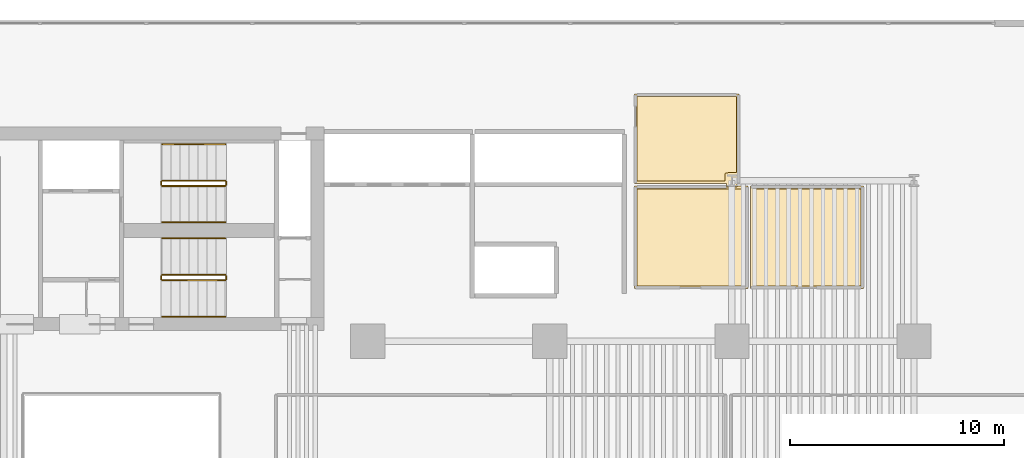
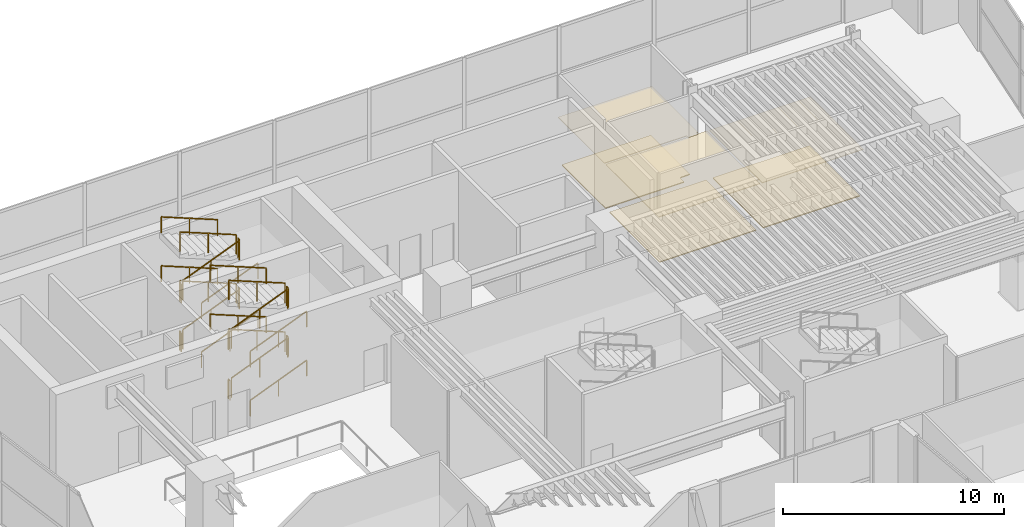
# One storey, part 16 of 16: 24 railings, 6 coverings.
"""IFC4 building model written with IfcOpenShell, lengths in metres."""

from ifc_helpers import new_model, si_unit, direction, frame, origin, origin_2d, place, context, subcontext, project, spatial, polyline, rectangle, outline, extrude, material, layer, layer_set, type_object, element, save


model = new_model("IFC4")

# Units and contexts
model_context = context("Model", 3, precision=1e-05, world=origin(), true_north=direction((0.0, 1.0)))
body_context = subcontext(model_context, "Body", "Model", "MODEL_VIEW")
ifc_project = project(units=[si_unit("LENGTHUNIT", "METRE"), si_unit("AREAUNIT", "SQUARE_METRE"), si_unit("VOLUMEUNIT", "CUBIC_METRE"), si_unit("PLANEANGLEUNIT", "RADIAN"), si_unit("MASSUNIT", "GRAM", prefix="KILO")], contexts=[model_context])

# Site, building, storey
site_placement = place(None, origin())
site = spatial("IfcSite", under=ifc_project, at=site_placement, CompositionType="ELEMENT")
building_placement = place(site_placement, origin())
building = spatial("IfcBuilding", under=site, at=building_placement, Name="Caeloran Harvest Quay", CompositionType="ELEMENT")
storey_placement = place(building_placement, frame((0.0, 0.0, 16.199951171875)))
storey = spatial("IfcBuildingStorey", under=building, at=storey_placement, Name="L04", CompositionType="ELEMENT", Elevation=16.199951171875)

# Coverings
ifc_material_1 = material(Name="Perforated Mineral-Fibre Acoustic Ceiling Tile", Category="ceiling")
ifc_layer_1 = layer(ifc_material_1, 0.0400390625, Name="Perforated Mineral-Fibre Acoustic Ceiling Tile")
ifc_layer_set_1 = layer_set([ifc_layer_1], Name="Perforated Mineral-Fibre Acoustic Ceiling Tile")
covering_type_1 = type_object("IfcCoveringType", Name="COV-CEILING-ACOUSTIC", PredefinedType="CEILING", material=ifc_layer_set_1)
covering_1_placement = place(storey_placement, frame((0.0, 0.0, 2.60009765625)))
element("IfcCovering", 1, at=covering_1_placement, inside=storey, type_object=covering_type_1, Name="L04 Public Male Washroom WC Acoustic Ceiling", PredefinedType="CEILING", context=body_context, shape_type="SweptSolid", body=[
    extrude(outline(polyline([(43.239990234375, 33.4599609375), (37.9599609375, 33.4599609375), (37.9599609375, 38.239990234375), (42.2529296875, 38.239990234375), (42.2529296875, 38.804443359375), (42.7470703125, 38.804443359375), (42.7470703125, 38.239990234375), (43.239990234375, 38.239990234375), (43.239990234375, 33.4599609375)])), origin(), (0.0, 0.0, 1.0), 0.0400390625),
])
covering_2_placement = place(storey_placement, frame((0.0, 0.0, 2.60009765625)))
element("IfcCovering", 2, at=covering_2_placement, inside=storey, type_object=covering_type_1, Name="L04 Public Female Washroom WC Acoustic Ceiling", PredefinedType="CEILING", context=body_context, shape_type="SweptSolid", body=[
    extrude(outline(polyline([(48.639892578125, 38.239990234375), (48.639892578125, 33.4599609375), (43.360107421875, 33.4599609375), (43.360107421875, 38.239990234375), (48.639892578125, 38.239990234375)])), origin(), (0.0, 0.0, 1.0), 0.0400390625),
])
covering_3_placement = place(storey_placement, frame((0.0, 0.0, 2.60009765625)))
element("IfcCovering", 3, at=covering_3_placement, inside=storey, type_object=covering_type_1, Name="L04 Accessible Unisex Washroom WC Acoustic Ceiling", PredefinedType="CEILING", context=body_context, shape_type="SweptSolid", body=[
    extrude(outline(polyline([(42.7470703125, 38.195556640625), (42.2529296875, 38.195556640625), (42.2529296875, 38.360107421875), (37.9599609375, 38.360107421875), (37.9599609375, 42.5400390625), (42.840087890625, 42.5400390625), (42.840087890625, 38.360107421875), (42.7470703125, 38.360107421875), (42.7470703125, 38.195556640625)])), origin(), (0.0, 0.0, 1.0), 0.0400390625),
])
ifc_material_2 = material(Name="Calcium-Sulphate Raised Access Floor and Terrazzo Finish", Category="flooring")
ifc_layer_2 = layer(ifc_material_2, 0.050048828125, Name="Calcium-Sulphate Raised Access Floor and Terrazzo Finish")
ifc_layer_set_2 = layer_set([ifc_layer_2], Name="Calcium-Sulphate Raised Access Floor and Terrazzo Finish")
covering_type_2 = type_object("IfcCoveringType", Name="COV-FLOOR-RAISED", PredefinedType="FLOORING", material=ifc_layer_set_2)
covering_4_placement = place(storey_placement, origin())
element("IfcCovering", 4, at=covering_4_placement, inside=storey, type_object=covering_type_2, Name="L04 Public Male Washroom WC Raised Finish Flooring", PredefinedType="FLOORING", context=body_context, shape_type="SweptSolid", body=[
    extrude(outline(polyline([(43.1201171875, 38.1201171875), (43.1201171875, 33.580078125), (38.080078125, 33.580078125), (38.080078125, 38.1201171875), (43.1201171875, 38.1201171875)])), origin(), (0.0, 0.0, 1.0), 0.050048828125),
])
covering_5_placement = place(storey_placement, origin())
element("IfcCovering", 5, at=covering_5_placement, inside=storey, type_object=covering_type_2, Name="L04 Public Female Washroom WC Raised Finish Flooring", PredefinedType="FLOORING", context=body_context, shape_type="SweptSolid", body=[
    extrude(outline(polyline([(48.52001953125, 38.1201171875), (48.52001953125, 33.580078125), (43.47998046875, 33.580078125), (43.47998046875, 38.1201171875), (48.52001953125, 38.1201171875)])), origin(), (0.0, 0.0, 1.0), 0.050048828125),
])
covering_6_placement = place(storey_placement, origin())
element("IfcCovering", 6, at=covering_6_placement, inside=storey, type_object=covering_type_2, Name="L04 Accessible Unisex Washroom WC Raised Finish Flooring", PredefinedType="FLOORING", context=body_context, shape_type="SweptSolid", body=[
    extrude(outline(polyline([(42.719970703125, 38.87939453125), (42.213623046875, 38.865966796875), (42.178466796875, 38.807373046875), (42.177978515625, 38.47998046875), (38.080078125, 38.47998046875), (38.080078125, 42.419921875), (42.719970703125, 42.419921875), (42.719970703125, 38.87939453125)])), origin(), (0.0, 0.0, 1.0), 0.050048828125),
])

# Railings
ifc_material_3 = material(Name="Painted Steel Baluster and Top-Rail Stair Guard", Category="steel")
ifc_layer_3 = layer(ifc_material_3, 0.050048828125, Name="Painted Steel Baluster and Top-Rail Stair Guard")
ifc_layer_set_3 = layer_set([ifc_layer_3], Name="Painted Steel Baluster and Top-Rail Stair Guard")
railing_type_1 = type_object("IfcRailingType", Name="STAIR-GUARD-1100", PredefinedType="GUARDRAIL", material=ifc_layer_set_3)
railing_1_placement = place(storey_placement, frame((15.89990234375, 38.25, 0.168701171875)))
element("IfcRailing", 7, at=railing_1_placement, inside=storey, type_object=railing_type_1, Name="L04 ST-C1 stair guard 1", PredefinedType="GUARDRAIL", context=body_context, shape_type="SweptSolid", body=[
    extrude(rectangle(XDim=0.048095703125, YDim=0.048095703125, at=origin_2d()), frame((0.0, 0.0, 1.076171875), z_axis=(0.927896368829, 0.0, 0.372838207155), x_axis=(0.0, 1.0, 0.0)), (0.0, 0.0, 1.0), 3.168701171875),
    extrude(rectangle(XDim=0.0419921875, YDim=0.0419921875, at=origin_2d()), origin(), (0.0, 0.0, 1.0), 1.052001953125),
    extrude(rectangle(XDim=0.0419921875, YDim=0.0419921875, at=origin_2d()), frame((1.47021484375, 0.0, 0.5908203125)), (0.0, 0.0, 1.0), 1.052001953125),
    extrude(rectangle(XDim=0.0419921875, YDim=0.0419921875, at=origin_2d()), frame((2.940185546875, 0.0, 1.181396484375)), (0.0, 0.0, 1.0), 1.052001953125),
])
railing_2_placement = place(storey_placement, frame((18.889892578125, 38.300048828125, 1.35009765625)))
element("IfcRailing", 8, at=railing_2_placement, inside=storey, type_object=railing_type_1, Name="L04 ST-C1 stair guard 2", PredefinedType="GUARDRAIL", context=body_context, shape_type="SweptSolid", body=[
    extrude(rectangle(XDim=0.048095703125, YDim=0.048095703125, at=origin_2d()), frame((0.0, 0.0, 1.076171875), z_axis=(0.0, 1.0, 0.0), x_axis=(-1.0, 0.0, 0.0)), (0.0, 0.0, 1.0), 0.14990234375),
    extrude(rectangle(XDim=0.0419921875, YDim=0.0419921875, at=origin_2d()), origin(), (0.0, 0.0, 1.0), 1.052001953125),
    extrude(rectangle(XDim=0.0419921875, YDim=0.0419921875, at=origin_2d()), frame((0.0, 0.14990234375, 0.0)), (0.0, 0.0, 1.0), 1.052001953125),
])
railing_3_placement = place(storey_placement, frame((18.840087890625, 38.5, 1.518798828125)))
element("IfcRailing", 9, at=railing_3_placement, inside=storey, type_object=railing_type_1, Name="L04 ST-C1 stair guard 3", PredefinedType="GUARDRAIL", context=body_context, shape_type="SweptSolid", body=[
    extrude(rectangle(XDim=0.048095703125, YDim=0.048095703125, at=origin_2d()), frame((0.0, 0.0, 1.076171875), z_axis=(-0.927923022591, 0.0, 0.372771866088), x_axis=(0.0, -1.0, 0.0)), (0.0, 0.0, 1.0), 3.16845703125),
    extrude(rectangle(XDim=0.0419921875, YDim=0.0419921875, at=origin_2d()), origin(), (0.0, 0.0, 1.0), 1.052001953125),
    extrude(rectangle(XDim=0.0419921875, YDim=0.0419921875, at=origin_2d()), frame((-1.47021484375, 0.0, 0.590576171875)), (0.0, 0.0, 1.0), 1.052001953125),
    extrude(rectangle(XDim=0.0419921875, YDim=0.0419921875, at=origin_2d()), frame((-2.940185546875, 0.0, 1.18115234375)), (0.0, 0.0, 1.0), 1.052001953125),
])
railing_4_placement = place(storey_placement, frame((15.85009765625, 38.300048828125, 2.699951171875)))
element("IfcRailing", 10, at=railing_4_placement, inside=storey, type_object=railing_type_1, Name="L04 ST-C1 stair guard 4", PredefinedType="GUARDRAIL", context=body_context, shape_type="SweptSolid", body=[
    extrude(rectangle(XDim=0.048095703125, YDim=0.048095703125, at=origin_2d()), frame((0.0, 0.0, 1.076171875), z_axis=(0.0, 1.0, 0.0), x_axis=(-1.0, 0.0, 0.0)), (0.0, 0.0, 1.0), 0.14990234375),
    extrude(rectangle(XDim=0.0419921875, YDim=0.0419921875, at=origin_2d()), origin(), (0.0, 0.0, 1.0), 1.052001953125),
    extrude(rectangle(XDim=0.0419921875, YDim=0.0419921875, at=origin_2d()), frame((0.0, 0.14990234375, 0.0)), (0.0, 0.0, 1.0), 1.052001953125),
])
railing_5_placement = place(storey_placement, frame((15.89990234375, 38.25, 2.868896484375)))
element("IfcRailing", 11, at=railing_5_placement, inside=storey, type_object=railing_type_1, Name="L04 ST-C1 stair guard 5", PredefinedType="GUARDRAIL", context=body_context, shape_type="SweptSolid", body=[
    extrude(rectangle(XDim=0.048095703125, YDim=0.048095703125, at=origin_2d()), frame((0.0, 0.0, 1.076171875), z_axis=(0.927923022591, 0.0, 0.372771866088), x_axis=(0.0, 1.0, 0.0)), (0.0, 0.0, 1.0), 3.16845703125),
    extrude(rectangle(XDim=0.0419921875, YDim=0.0419921875, at=origin_2d()), origin(), (0.0, 0.0, 1.0), 1.052001953125),
    extrude(rectangle(XDim=0.0419921875, YDim=0.0419921875, at=origin_2d()), frame((1.47021484375, 0.0, 0.590576171875)), (0.0, 0.0, 1.0), 1.052001953125),
    extrude(rectangle(XDim=0.0419921875, YDim=0.0419921875, at=origin_2d()), frame((2.940185546875, 0.0, 1.18115234375)), (0.0, 0.0, 1.0), 1.052001953125),
])
railing_6_placement = place(storey_placement, frame((18.889892578125, 38.300048828125, 4.050048828125)))
element("IfcRailing", 12, at=railing_6_placement, inside=storey, type_object=railing_type_1, Name="L04 ST-C1 stair guard 6", PredefinedType="GUARDRAIL", context=body_context, shape_type="SweptSolid", body=[
    extrude(rectangle(XDim=0.048095703125, YDim=0.048095703125, at=origin_2d()), frame((0.0, 0.0, 1.076171875), z_axis=(0.0, 1.0, 0.0), x_axis=(-1.0, 0.0, 0.0)), (0.0, 0.0, 1.0), 0.14990234375),
    extrude(rectangle(XDim=0.0419921875, YDim=0.0419921875, at=origin_2d()), origin(), (0.0, 0.0, 1.0), 1.052001953125),
    extrude(rectangle(XDim=0.0419921875, YDim=0.0419921875, at=origin_2d()), frame((0.0, 0.14990234375, 0.0)), (0.0, 0.0, 1.0), 1.052001953125),
])
railing_7_placement = place(storey_placement, frame((18.840087890625, 38.5, 4.21875)))
element("IfcRailing", 13, at=railing_7_placement, inside=storey, type_object=railing_type_1, Name="L04 ST-C1 stair guard 7", PredefinedType="GUARDRAIL", context=body_context, shape_type="SweptSolid", body=[
    extrude(rectangle(XDim=0.048095703125, YDim=0.048095703125, at=origin_2d()), frame((0.0, 0.0, 1.076171875), z_axis=(-0.927896368829, 0.0, 0.372838207155), x_axis=(0.0, -1.0, 0.0)), (0.0, 0.0, 1.0), 3.168701171875),
    extrude(rectangle(XDim=0.0419921875, YDim=0.0419921875, at=origin_2d()), origin(), (0.0, 0.0, 1.0), 1.052001953125),
    extrude(rectangle(XDim=0.0419921875, YDim=0.0419921875, at=origin_2d()), frame((-1.47021484375, 0.0, 0.5908203125)), (0.0, 0.0, 1.0), 1.052001953125),
    extrude(rectangle(XDim=0.0419921875, YDim=0.0419921875, at=origin_2d()), frame((-2.940185546875, 0.0, 1.181396484375)), (0.0, 0.0, 1.0), 1.052001953125),
])
railing_8_placement = place(storey_placement, frame((15.85009765625, 38.300048828125, 0.0)))
element("IfcRailing", 14, at=railing_8_placement, inside=storey, type_object=railing_type_1, Name="L04 ST-C1 stair guard 8", PredefinedType="GUARDRAIL", context=body_context, shape_type="SweptSolid", body=[
    extrude(rectangle(XDim=0.048095703125, YDim=0.048095703125, at=origin_2d()), frame((0.0, 0.0, 1.076171875), z_axis=(0.0, 1.0, 0.0), x_axis=(-1.0, 0.0, 0.0)), (0.0, 0.0, 1.0), 0.14990234375),
    extrude(rectangle(XDim=0.0419921875, YDim=0.0419921875, at=origin_2d()), origin(), (0.0, 0.0, 1.0), 1.052001953125),
    extrude(rectangle(XDim=0.0419921875, YDim=0.0419921875, at=origin_2d()), frame((0.0, 0.14990234375, 0.0)), (0.0, 0.0, 1.0), 1.052001953125),
])
railing_9_placement = place(storey_placement, frame((15.89990234375, 33.85009765625, 0.168701171875)))
element("IfcRailing", 15, at=railing_9_placement, inside=storey, type_object=railing_type_1, Name="L04 ST-C2 stair guard 1", PredefinedType="GUARDRAIL", context=body_context, shape_type="SweptSolid", body=[
    extrude(rectangle(XDim=0.048095703125, YDim=0.048095703125, at=origin_2d()), frame((0.0, 0.0, 1.076171875), z_axis=(0.927896368829, 0.0, 0.372838207155), x_axis=(0.0, 1.0, 0.0)), (0.0, 0.0, 1.0), 3.168701171875),
    extrude(rectangle(XDim=0.0419921875, YDim=0.0419921875, at=origin_2d()), origin(), (0.0, 0.0, 1.0), 1.052001953125),
    extrude(rectangle(XDim=0.0419921875, YDim=0.0419921875, at=origin_2d()), frame((1.47021484375, 0.0, 0.5908203125)), (0.0, 0.0, 1.0), 1.052001953125),
    extrude(rectangle(XDim=0.0419921875, YDim=0.0419921875, at=origin_2d()), frame((2.940185546875, 0.0, 1.181396484375)), (0.0, 0.0, 1.0), 1.052001953125),
])
railing_10_placement = place(storey_placement, frame((18.889892578125, 33.89990234375, 1.35009765625)))
element("IfcRailing", 16, at=railing_10_placement, inside=storey, type_object=railing_type_1, Name="L04 ST-C2 stair guard 2", PredefinedType="GUARDRAIL", context=body_context, shape_type="SweptSolid", body=[
    extrude(rectangle(XDim=0.048095703125, YDim=0.048095703125, at=origin_2d()), frame((0.0, 0.0, 1.076171875), z_axis=(0.0, 1.0, 0.0), x_axis=(-1.0, 0.0, 0.0)), (0.0, 0.0, 1.0), 0.150146484375),
    extrude(rectangle(XDim=0.0419921875, YDim=0.0419921875, at=origin_2d()), origin(), (0.0, 0.0, 1.0), 1.052001953125),
    extrude(rectangle(XDim=0.0419921875, YDim=0.0419921875, at=origin_2d()), frame((0.0, 0.150146484375, 0.0)), (0.0, 0.0, 1.0), 1.052001953125),
])
railing_11_placement = place(storey_placement, frame((18.840087890625, 34.10009765625, 1.518798828125)))
element("IfcRailing", 17, at=railing_11_placement, inside=storey, type_object=railing_type_1, Name="L04 ST-C2 stair guard 3", PredefinedType="GUARDRAIL", context=body_context, shape_type="SweptSolid", body=[
    extrude(rectangle(XDim=0.048095703125, YDim=0.048095703125, at=origin_2d()), frame((0.0, 0.0, 1.076171875), z_axis=(-0.927923022591, 0.0, 0.372771866088), x_axis=(0.0, -1.0, 0.0)), (0.0, 0.0, 1.0), 3.16845703125),
    extrude(rectangle(XDim=0.0419921875, YDim=0.0419921875, at=origin_2d()), origin(), (0.0, 0.0, 1.0), 1.052001953125),
    extrude(rectangle(XDim=0.0419921875, YDim=0.0419921875, at=origin_2d()), frame((-1.47021484375, 0.0, 0.590576171875)), (0.0, 0.0, 1.0), 1.052001953125),
    extrude(rectangle(XDim=0.0419921875, YDim=0.0419921875, at=origin_2d()), frame((-2.940185546875, 0.0, 1.18115234375)), (0.0, 0.0, 1.0), 1.052001953125),
])
railing_12_placement = place(storey_placement, frame((15.85009765625, 33.89990234375, 2.699951171875)))
element("IfcRailing", 18, at=railing_12_placement, inside=storey, type_object=railing_type_1, Name="L04 ST-C2 stair guard 4", PredefinedType="GUARDRAIL", context=body_context, shape_type="SweptSolid", body=[
    extrude(rectangle(XDim=0.048095703125, YDim=0.048095703125, at=origin_2d()), frame((0.0, 0.0, 1.076171875), z_axis=(0.0, 1.0, 0.0), x_axis=(-1.0, 0.0, 0.0)), (0.0, 0.0, 1.0), 0.150146484375),
    extrude(rectangle(XDim=0.0419921875, YDim=0.0419921875, at=origin_2d()), origin(), (0.0, 0.0, 1.0), 1.052001953125),
    extrude(rectangle(XDim=0.0419921875, YDim=0.0419921875, at=origin_2d()), frame((0.0, 0.150146484375, 0.0)), (0.0, 0.0, 1.0), 1.052001953125),
])
railing_13_placement = place(storey_placement, frame((15.89990234375, 33.85009765625, 2.868896484375)))
element("IfcRailing", 19, at=railing_13_placement, inside=storey, type_object=railing_type_1, Name="L04 ST-C2 stair guard 5", PredefinedType="GUARDRAIL", context=body_context, shape_type="SweptSolid", body=[
    extrude(rectangle(XDim=0.048095703125, YDim=0.048095703125, at=origin_2d()), frame((0.0, 0.0, 1.076171875), z_axis=(0.927923022591, 0.0, 0.372771866088), x_axis=(0.0, 1.0, 0.0)), (0.0, 0.0, 1.0), 3.16845703125),
    extrude(rectangle(XDim=0.0419921875, YDim=0.0419921875, at=origin_2d()), origin(), (0.0, 0.0, 1.0), 1.052001953125),
    extrude(rectangle(XDim=0.0419921875, YDim=0.0419921875, at=origin_2d()), frame((1.47021484375, 0.0, 0.590576171875)), (0.0, 0.0, 1.0), 1.052001953125),
    extrude(rectangle(XDim=0.0419921875, YDim=0.0419921875, at=origin_2d()), frame((2.940185546875, 0.0, 1.18115234375)), (0.0, 0.0, 1.0), 1.052001953125),
])
railing_14_placement = place(storey_placement, frame((18.889892578125, 33.89990234375, 4.050048828125)))
element("IfcRailing", 20, at=railing_14_placement, inside=storey, type_object=railing_type_1, Name="L04 ST-C2 stair guard 6", PredefinedType="GUARDRAIL", context=body_context, shape_type="SweptSolid", body=[
    extrude(rectangle(XDim=0.048095703125, YDim=0.048095703125, at=origin_2d()), frame((0.0, 0.0, 1.076171875), z_axis=(0.0, 1.0, 0.0), x_axis=(-1.0, 0.0, 0.0)), (0.0, 0.0, 1.0), 0.150146484375),
    extrude(rectangle(XDim=0.0419921875, YDim=0.0419921875, at=origin_2d()), origin(), (0.0, 0.0, 1.0), 1.052001953125),
    extrude(rectangle(XDim=0.0419921875, YDim=0.0419921875, at=origin_2d()), frame((0.0, 0.150146484375, 0.0)), (0.0, 0.0, 1.0), 1.052001953125),
])
railing_15_placement = place(storey_placement, frame((18.840087890625, 34.10009765625, 4.21875)))
element("IfcRailing", 21, at=railing_15_placement, inside=storey, type_object=railing_type_1, Name="L04 ST-C2 stair guard 7", PredefinedType="GUARDRAIL", context=body_context, shape_type="SweptSolid", body=[
    extrude(rectangle(XDim=0.048095703125, YDim=0.048095703125, at=origin_2d()), frame((0.0, 0.0, 1.076171875), z_axis=(-0.927896368829, 0.0, 0.372838207155), x_axis=(0.0, -1.0, 0.0)), (0.0, 0.0, 1.0), 3.168701171875),
    extrude(rectangle(XDim=0.0419921875, YDim=0.0419921875, at=origin_2d()), origin(), (0.0, 0.0, 1.0), 1.052001953125),
    extrude(rectangle(XDim=0.0419921875, YDim=0.0419921875, at=origin_2d()), frame((-1.47021484375, 0.0, 0.5908203125)), (0.0, 0.0, 1.0), 1.052001953125),
    extrude(rectangle(XDim=0.0419921875, YDim=0.0419921875, at=origin_2d()), frame((-2.940185546875, 0.0, 1.181396484375)), (0.0, 0.0, 1.0), 1.052001953125),
])
railing_16_placement = place(storey_placement, frame((15.85009765625, 33.89990234375, 0.0)))
element("IfcRailing", 22, at=railing_16_placement, inside=storey, type_object=railing_type_1, Name="L04 ST-C2 stair guard 8", PredefinedType="GUARDRAIL", context=body_context, shape_type="SweptSolid", body=[
    extrude(rectangle(XDim=0.048095703125, YDim=0.048095703125, at=origin_2d()), frame((0.0, 0.0, 1.076171875), z_axis=(0.0, 1.0, 0.0), x_axis=(-1.0, 0.0, 0.0)), (0.0, 0.0, 1.0), 0.150146484375),
    extrude(rectangle(XDim=0.0419921875, YDim=0.0419921875, at=origin_2d()), origin(), (0.0, 0.0, 1.0), 1.052001953125),
    extrude(rectangle(XDim=0.0419921875, YDim=0.0419921875, at=origin_2d()), frame((0.0, 0.150146484375, 0.0)), (0.0, 0.0, 1.0), 1.052001953125),
])
ifc_material_4 = material(Name="Brushed Stainless Steel Grade 304", Category="steel")
ifc_layer_4 = layer(ifc_material_4, 0.050048828125, Name="Brushed Stainless Steel Grade 304")
ifc_layer_set_4 = layer_set([ifc_layer_4], Name="Brushed Stainless Steel Grade 304")
railing_type_2 = type_object("IfcRailingType", Name="STAIR-HANDRAIL-900", PredefinedType="HANDRAIL", material=ifc_layer_set_4)
railing_17_placement = place(storey_placement, frame((15.89990234375, 36.550048828125, 0.168701171875)))
element("IfcRailing", 23, at=railing_17_placement, inside=storey, type_object=railing_type_2, Name="L04 ST-C1 stair handrail 1", PredefinedType="HANDRAIL", context=body_context, shape_type="SweptSolid", body=[
    extrude(rectangle(XDim=0.048095703125, YDim=0.048095703125, at=origin_2d()), frame((0.0, 0.0, 0.8759765625), z_axis=(0.927896368829, 0.0, 0.372838207155), x_axis=(0.0, 1.0, 0.0)), (0.0, 0.0, 1.0), 3.168701171875),
    extrude(rectangle(XDim=0.0419921875, YDim=0.0419921875, at=origin_2d()), origin(), (0.0, 0.0, 1.0), 0.851806640625),
    extrude(rectangle(XDim=0.0419921875, YDim=0.0419921875, at=origin_2d()), frame((1.47021484375, 0.0, 0.5908203125)), (0.0, 0.0, 1.0), 0.851806640625),
    extrude(rectangle(XDim=0.0419921875, YDim=0.0419921875, at=origin_2d()), frame((2.940185546875, 0.0, 1.181396484375)), (0.0, 0.0, 1.0), 0.851806640625),
])
railing_18_placement = place(storey_placement, frame((18.840087890625, 40.199951171875, 1.518798828125)))
element("IfcRailing", 24, at=railing_18_placement, inside=storey, type_object=railing_type_2, Name="L04 ST-C1 stair handrail 2", PredefinedType="HANDRAIL", context=body_context, shape_type="SweptSolid", body=[
    extrude(rectangle(XDim=0.048095703125, YDim=0.048095703125, at=origin_2d()), frame((0.0, 0.0, 0.8759765625), z_axis=(-0.927923022591, 0.0, 0.372771866088), x_axis=(0.0, -1.0, 0.0)), (0.0, 0.0, 1.0), 3.16845703125),
    extrude(rectangle(XDim=0.0419921875, YDim=0.0419921875, at=origin_2d()), origin(), (0.0, 0.0, 1.0), 0.851806640625),
    extrude(rectangle(XDim=0.0419921875, YDim=0.0419921875, at=origin_2d()), frame((-1.47021484375, 0.0, 0.590576171875)), (0.0, 0.0, 1.0), 0.851806640625),
    extrude(rectangle(XDim=0.0419921875, YDim=0.0419921875, at=origin_2d()), frame((-2.940185546875, 0.0, 1.18115234375)), (0.0, 0.0, 1.0), 0.851806640625),
])
railing_19_placement = place(storey_placement, frame((15.89990234375, 36.550048828125, 2.868896484375)))
element("IfcRailing", 25, at=railing_19_placement, inside=storey, type_object=railing_type_2, Name="L04 ST-C1 stair handrail 3", PredefinedType="HANDRAIL", context=body_context, shape_type="SweptSolid", body=[
    extrude(rectangle(XDim=0.048095703125, YDim=0.048095703125, at=origin_2d()), frame((0.0, 0.0, 0.8759765625), z_axis=(0.927923022591, 0.0, 0.372771866088), x_axis=(0.0, 1.0, 0.0)), (0.0, 0.0, 1.0), 3.16845703125),
    extrude(rectangle(XDim=0.0419921875, YDim=0.0419921875, at=origin_2d()), origin(), (0.0, 0.0, 1.0), 0.851806640625),
    extrude(rectangle(XDim=0.0419921875, YDim=0.0419921875, at=origin_2d()), frame((1.47021484375, 0.0, 0.590576171875)), (0.0, 0.0, 1.0), 0.851806640625),
    extrude(rectangle(XDim=0.0419921875, YDim=0.0419921875, at=origin_2d()), frame((2.940185546875, 0.0, 1.18115234375)), (0.0, 0.0, 1.0), 0.851806640625),
])
railing_20_placement = place(storey_placement, frame((18.840087890625, 40.199951171875, 4.21875)))
element("IfcRailing", 26, at=railing_20_placement, inside=storey, type_object=railing_type_2, Name="L04 ST-C1 stair handrail 4", PredefinedType="HANDRAIL", context=body_context, shape_type="SweptSolid", body=[
    extrude(rectangle(XDim=0.048095703125, YDim=0.048095703125, at=origin_2d()), frame((0.0, 0.0, 0.8759765625), z_axis=(-0.927896368829, 0.0, 0.372838207155), x_axis=(0.0, -1.0, 0.0)), (0.0, 0.0, 1.0), 3.168701171875),
    extrude(rectangle(XDim=0.0419921875, YDim=0.0419921875, at=origin_2d()), origin(), (0.0, 0.0, 1.0), 0.851806640625),
    extrude(rectangle(XDim=0.0419921875, YDim=0.0419921875, at=origin_2d()), frame((-1.47021484375, 0.0, 0.5908203125)), (0.0, 0.0, 1.0), 0.851806640625),
    extrude(rectangle(XDim=0.0419921875, YDim=0.0419921875, at=origin_2d()), frame((-2.940185546875, 0.0, 1.181396484375)), (0.0, 0.0, 1.0), 0.851806640625),
])
railing_21_placement = place(storey_placement, frame((15.89990234375, 32.14990234375, 0.168701171875)))
element("IfcRailing", 27, at=railing_21_placement, inside=storey, type_object=railing_type_2, Name="L04 ST-C2 stair handrail 1", PredefinedType="HANDRAIL", context=body_context, shape_type="SweptSolid", body=[
    extrude(rectangle(XDim=0.048095703125, YDim=0.048095703125, at=origin_2d()), frame((0.0, 0.0, 0.8759765625), z_axis=(0.927896368829, 0.0, 0.372838207155), x_axis=(0.0, 1.0, 0.0)), (0.0, 0.0, 1.0), 3.168701171875),
    extrude(rectangle(XDim=0.0419921875, YDim=0.0419921875, at=origin_2d()), origin(), (0.0, 0.0, 1.0), 0.851806640625),
    extrude(rectangle(XDim=0.0419921875, YDim=0.0419921875, at=origin_2d()), frame((1.47021484375, 0.0, 0.5908203125)), (0.0, 0.0, 1.0), 0.851806640625),
    extrude(rectangle(XDim=0.0419921875, YDim=0.0419921875, at=origin_2d()), frame((2.940185546875, 0.0, 1.181396484375)), (0.0, 0.0, 1.0), 0.851806640625),
])
railing_22_placement = place(storey_placement, frame((18.840087890625, 35.800048828125, 1.518798828125)))
element("IfcRailing", 28, at=railing_22_placement, inside=storey, type_object=railing_type_2, Name="L04 ST-C2 stair handrail 2", PredefinedType="HANDRAIL", context=body_context, shape_type="SweptSolid", body=[
    extrude(rectangle(XDim=0.048095703125, YDim=0.048095703125, at=origin_2d()), frame((0.0, 0.0, 0.8759765625), z_axis=(-0.927923022591, 0.0, 0.372771866088), x_axis=(0.0, -1.0, 0.0)), (0.0, 0.0, 1.0), 3.16845703125),
    extrude(rectangle(XDim=0.0419921875, YDim=0.0419921875, at=origin_2d()), origin(), (0.0, 0.0, 1.0), 0.851806640625),
    extrude(rectangle(XDim=0.0419921875, YDim=0.0419921875, at=origin_2d()), frame((-1.47021484375, 0.0, 0.590576171875)), (0.0, 0.0, 1.0), 0.851806640625),
    extrude(rectangle(XDim=0.0419921875, YDim=0.0419921875, at=origin_2d()), frame((-2.940185546875, 0.0, 1.18115234375)), (0.0, 0.0, 1.0), 0.851806640625),
])
railing_23_placement = place(storey_placement, frame((15.89990234375, 32.14990234375, 2.868896484375)))
element("IfcRailing", 29, at=railing_23_placement, inside=storey, type_object=railing_type_2, Name="L04 ST-C2 stair handrail 3", PredefinedType="HANDRAIL", context=body_context, shape_type="SweptSolid", body=[
    extrude(rectangle(XDim=0.048095703125, YDim=0.048095703125, at=origin_2d()), frame((0.0, 0.0, 0.8759765625), z_axis=(0.927923022591, 0.0, 0.372771866088), x_axis=(0.0, 1.0, 0.0)), (0.0, 0.0, 1.0), 3.16845703125),
    extrude(rectangle(XDim=0.0419921875, YDim=0.0419921875, at=origin_2d()), origin(), (0.0, 0.0, 1.0), 0.851806640625),
    extrude(rectangle(XDim=0.0419921875, YDim=0.0419921875, at=origin_2d()), frame((1.47021484375, 0.0, 0.590576171875)), (0.0, 0.0, 1.0), 0.851806640625),
    extrude(rectangle(XDim=0.0419921875, YDim=0.0419921875, at=origin_2d()), frame((2.940185546875, 0.0, 1.18115234375)), (0.0, 0.0, 1.0), 0.851806640625),
])
railing_24_placement = place(storey_placement, frame((18.840087890625, 35.800048828125, 4.21875)))
element("IfcRailing", 30, at=railing_24_placement, inside=storey, type_object=railing_type_2, Name="L04 ST-C2 stair handrail 4", PredefinedType="HANDRAIL", context=body_context, shape_type="SweptSolid", body=[
    extrude(rectangle(XDim=0.048095703125, YDim=0.048095703125, at=origin_2d()), frame((0.0, 0.0, 0.8759765625), z_axis=(-0.927896368829, 0.0, 0.372838207155), x_axis=(0.0, -1.0, 0.0)), (0.0, 0.0, 1.0), 3.168701171875),
    extrude(rectangle(XDim=0.0419921875, YDim=0.0419921875, at=origin_2d()), origin(), (0.0, 0.0, 1.0), 0.851806640625),
    extrude(rectangle(XDim=0.0419921875, YDim=0.0419921875, at=origin_2d()), frame((-1.47021484375, 0.0, 0.5908203125)), (0.0, 0.0, 1.0), 0.851806640625),
    extrude(rectangle(XDim=0.0419921875, YDim=0.0419921875, at=origin_2d()), frame((-2.940185546875, 0.0, 1.181396484375)), (0.0, 0.0, 1.0), 0.851806640625),
])

save(model, "model.ifc")
